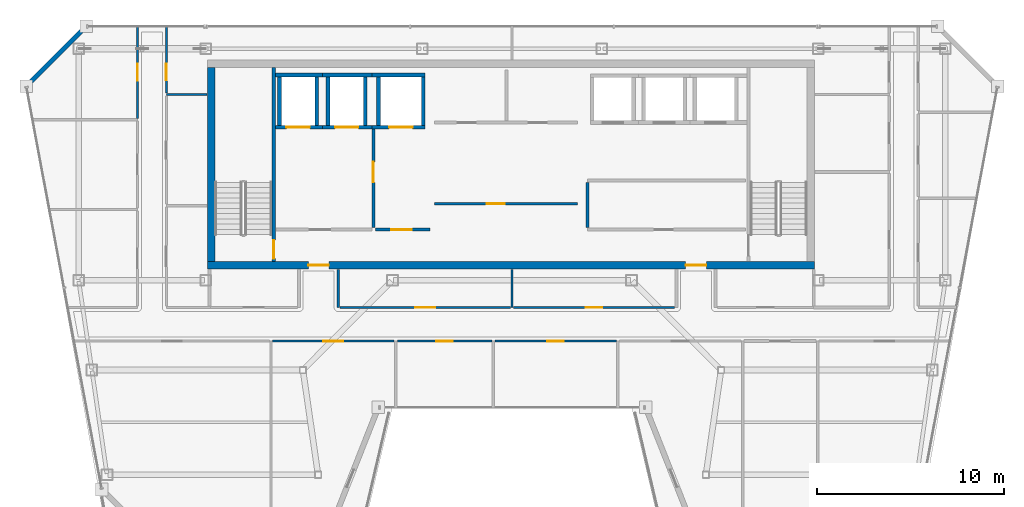
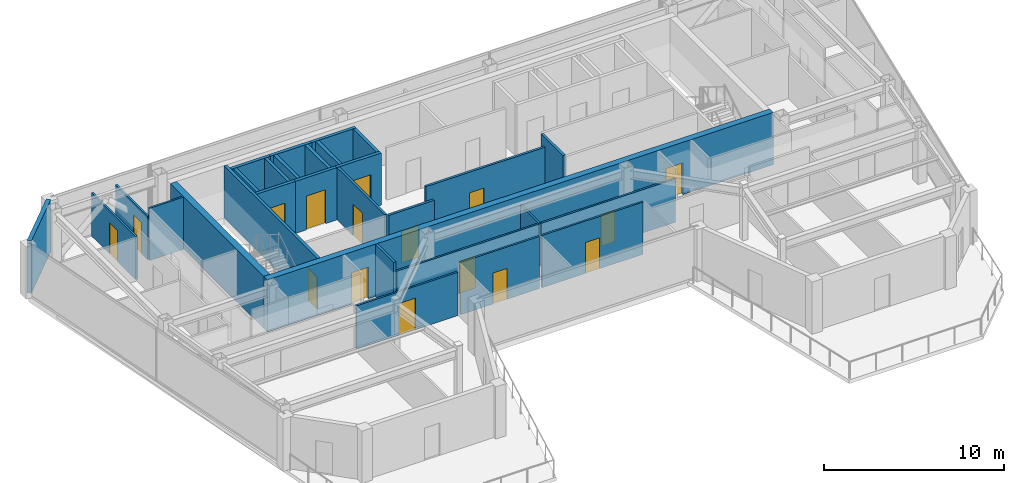
# One storey, part 19 of 25: 30 walls, 16 doors, 16 openings.
"""IFC4 building model written with IfcOpenShell, lengths in metres."""

from ifc_helpers import new_model, si_unit, direction, frame, frame_2d, origin, place, context, subcontext, project, spatial, rectangle, extrude, material, layer, layer_set, type_object, element, fill, save


model = new_model("IFC4")

# Units and contexts
model_context = context("Model", 3, precision=1e-05, world=origin(), true_north=direction((0.0, 1.0)))
body_context = subcontext(model_context, "Body", "Model", "MODEL_VIEW")
ifc_project = project(units=[si_unit("LENGTHUNIT", "METRE"), si_unit("AREAUNIT", "SQUARE_METRE"), si_unit("VOLUMEUNIT", "CUBIC_METRE"), si_unit("PLANEANGLEUNIT", "RADIAN"), si_unit("MASSUNIT", "GRAM", prefix="KILO")], contexts=[model_context])

# Site, building, storey
site_placement = place(None, origin())
site = spatial("IfcSite", under=ifc_project, at=site_placement, CompositionType="ELEMENT")
building_placement = place(site_placement, origin())
building = spatial("IfcBuilding", under=site, at=building_placement, Name="Saevonmaru Cultural Tower", CompositionType="ELEMENT")
storey_placement = place(building_placement, frame((0.0, 0.0, 276.199951171875)))
storey = spatial("IfcBuildingStorey", under=building, at=storey_placement, Name="L65", CompositionType="ELEMENT", Elevation=276.199951171875)

# Wall, openings, doors
ifc_material_1 = material(Name="Concrete C50/60", Category="concrete")
ifc_layer_1 = layer(ifc_material_1, 0.39990234375, Name="Concrete C50/60")
ifc_layer_set_1 = layer_set([ifc_layer_1], Name="Concrete C50/60")
wall_type_1 = type_object("IfcWallType", Name="WL-CORE-400", PredefinedType="SHEAR", material=ifc_layer_set_1)
wall_1_placement = place(storey_placement, frame((13.699951171875, 43.199951171875, 0.0), z_axis=(0.0, 0.0, 1.0), x_axis=(1.0, 0.0, 0.0)))
wall_1 = element("IfcWall", 1, at=wall_1_placement, inside=storey, type_object=wall_type_1, Name="L65 Tower RC core shear wall S", PredefinedType="SHEAR", context=body_context, shape_type="SweptSolid", body=[
    extrude(rectangle(XDim=32.5, YDim=0.39990234375, at=frame_2d((16.25, 0.0))), origin(), (0.0, 0.0, 1.0), 3.550048828125),
])
opening_1_placement = place(wall_1_placement, frame((5.39990234375, 0.0, 0.0)))
opening_1 = element("IfcOpeningElement", 2, at=opening_1_placement, cuts=wall_1, Name="Opening FD-2", PredefinedType="OPENING", context=body_context, shape_type="SweptSolid", body=[
    extrude(rectangle(XDim=1.10009765625, YDim=2.14990234375, at=frame_2d((0.550048828125, 1.074951171875))), frame((0.0, 0.2099609375, 0.0), z_axis=(0.0, -1.0, 0.0), x_axis=(1.0, 0.0, 0.0)), (0.0, 0.0, 1.0), 0.419921875),
])
opening_2_placement = place(wall_1_placement, frame((25.60009765625, 0.0, 0.0)))
opening_2 = element("IfcOpeningElement", 3, at=opening_2_placement, cuts=wall_1, Name="Opening FD-2", PredefinedType="OPENING", context=body_context, shape_type="SweptSolid", body=[
    extrude(rectangle(XDim=1.10009765625, YDim=2.14990234375, at=frame_2d((0.550048828125, 1.074951171875))), frame((0.0, 0.2099609375, 0.0), z_axis=(0.0, -1.0, 0.0), x_axis=(1.0, 0.0, 0.0)), (0.0, 0.0, 1.0), 0.419921875),
])
ifc_material_2 = material(Name="Satin Bronze Anodised Aluminium", Category="aluminium")
door_type_1 = type_object("IfcDoorType", Name="DR-FD60-1100", OperationType="SINGLE_SWING_LEFT", PredefinedType="DOOR", material=ifc_material_2)
door_1_placement = place(opening_1_placement, origin())
door_1 = element("IfcDoor", 4, at=door_1_placement, inside=storey, type_object=door_type_1, Name="L65 Core West Lobby Fire Door", OperationType="SINGLE_SWING_LEFT", OverallHeight=2.14990234375, OverallWidth=1.10009765625, PredefinedType="DOOR", context=body_context, shape_type="SweptSolid", body=[
    extrude(rectangle(XDim=1.10009765625, YDim=2.14990234375, at=frame_2d((0.550048828125, 1.074951171875))), frame((0.0, 0.02490234375, 0.0), z_axis=(0.0, -1.0, 0.0), x_axis=(1.0, 0.0, 0.0)), (0.0, 0.0, 1.0), 0.050048828125),
])
fill(opening_1, door_1)
door_2_placement = place(opening_2_placement, origin())
door_2 = element("IfcDoor", 5, at=door_2_placement, inside=storey, type_object=door_type_1, Name="L65 Core East Lobby Fire Door", OperationType="SINGLE_SWING_LEFT", OverallHeight=2.14990234375, OverallWidth=1.10009765625, PredefinedType="DOOR", context=body_context, shape_type="SweptSolid", body=[
    extrude(rectangle(XDim=1.10009765625, YDim=2.14990234375, at=frame_2d((0.550048828125, 1.074951171875))), frame((0.0, 0.02490234375, 0.0), z_axis=(0.0, -1.0, 0.0), x_axis=(1.0, 0.0, 0.0)), (0.0, 0.0, 1.0), 0.050048828125),
])
fill(opening_2, door_2)

# Wall
wall_2_placement = place(storey_placement, frame((13.89990234375, 43.39990234375, 0.0), z_axis=(0.0, 0.0, 1.0), x_axis=(0.0, 1.0, 0.0)))
element("IfcWall", 6, at=wall_2_placement, inside=storey, type_object=wall_type_1, Name="L65 Tower RC core shear wall W", PredefinedType="SHEAR", context=body_context, shape_type="SweptSolid", body=[
    extrude(rectangle(XDim=10.400146484375, YDim=0.39990234375, at=frame_2d((5.2001953125, 0.0))), origin(), (0.0, 0.0, 1.0), 3.550048828125),
])

# Wall, opening, door
ifc_material_3 = material(Name="Gypsum Fireboard Partition", Category="gypsum")
ifc_layer_2 = layer(ifc_material_3, 0.14990234375, Name="Gypsum Fireboard Partition")
ifc_layer_set_2 = layer_set([ifc_layer_2], Name="Gypsum Fireboard Partition")
wall_type_2 = type_object("IfcWallType", Name="WL-CORE-PART-150", PredefinedType="PARTITIONING", material=ifc_layer_set_2)
wall_3_placement = place(storey_placement, frame((22.580078125, 50.550048828125, 0.0), z_axis=(0.0, 0.0, 1.0), x_axis=(0.0, -1.0, 0.0)))
wall_3 = element("IfcWall", 7, at=wall_3_placement, inside=storey, type_object=wall_type_2, Name="L65 Firefighting Lift Lobby East Wall", PredefinedType="PARTITIONING", context=body_context, shape_type="SweptSolid", body=[
    extrude(rectangle(XDim=5.330078125, YDim=0.14990234375, at=frame_2d((2.6650390625, 0.0))), origin(), (0.0, 0.0, 1.0), 3.550048828125),
])
opening_3_placement = place(wall_3_placement, frame((1.800048828125, 0.0, 0.0)))
opening_3 = element("IfcOpeningElement", 8, at=opening_3_placement, cuts=wall_3, Name="Opening FD-2", PredefinedType="OPENING", context=body_context, shape_type="SweptSolid", body=[
    extrude(rectangle(XDim=1.10009765625, YDim=2.14990234375, at=frame_2d((0.550048828125, 1.074951171875))), frame((0.0, 0.0849609375, 0.0), z_axis=(0.0, -1.0, 0.0), x_axis=(1.0, 0.0, 0.0)), (0.0, 0.0, 1.0), 0.169921875),
])
door_3_placement = place(opening_3_placement, origin())
door_3 = element("IfcDoor", 9, at=door_3_placement, inside=storey, type_object=door_type_1, Name="L65 Firefighting Lift Lobby East Door", OperationType="SINGLE_SWING_LEFT", OverallHeight=2.14990234375, OverallWidth=1.10009765625, PredefinedType="DOOR", context=body_context, shape_type="SweptSolid", body=[
    extrude(rectangle(XDim=1.10009765625, YDim=2.14990234375, at=frame_2d((0.550048828125, 1.074951171875))), frame((0.0, 0.02490234375, 0.0), z_axis=(0.0, -1.0, 0.0), x_axis=(1.0, 0.0, 0.0)), (0.0, 0.0, 1.0), 0.050048828125),
])
fill(opening_3, door_3)

wall_4_placement = place(storey_placement, frame((22.679931640625, 45.1201171875, 0.0), z_axis=(0.0, 0.0, 1.0), x_axis=(1.0, 0.0, 0.0)))
wall_4 = element("IfcWall", 10, at=wall_4_placement, inside=storey, type_object=wall_type_2, Name="L65 Service Lift Vestibule Wall", PredefinedType="PARTITIONING", context=body_context, shape_type="SweptSolid", body=[
    extrude(rectangle(XDim=2.920166015625, YDim=0.14990234375, at=frame_2d((1.4599609375, 0.0))), origin(), (0.0, 0.0, 1.0), 3.550048828125),
])
opening_4_placement = place(wall_4_placement, frame((0.85009765625, 0.0, 0.0)))
opening_4 = element("IfcOpeningElement", 11, at=opening_4_placement, cuts=wall_4, Name="Opening FD-2", PredefinedType="OPENING", context=body_context, shape_type="SweptSolid", body=[
    extrude(rectangle(XDim=1.10009765625, YDim=2.14990234375, at=frame_2d((0.550048828125, 1.074951171875))), frame((0.0, 0.0849609375, 0.0), z_axis=(0.0, -1.0, 0.0), x_axis=(1.0, 0.0, 0.0)), (0.0, 0.0, 1.0), 0.169921875),
])
door_4_placement = place(opening_4_placement, origin())
door_4 = element("IfcDoor", 12, at=door_4_placement, inside=storey, type_object=door_type_1, Name="L65 Service Lift Vestibule Door", OperationType="SINGLE_SWING_LEFT", OverallHeight=2.14990234375, OverallWidth=1.10009765625, PredefinedType="DOOR", context=body_context, shape_type="SweptSolid", body=[
    extrude(rectangle(XDim=1.10009765625, YDim=2.14990234375, at=frame_2d((0.550048828125, 1.074951171875))), frame((0.0, 0.02490234375, 0.0), z_axis=(0.0, -1.0, 0.0), x_axis=(1.0, 0.0, 0.0)), (0.0, 0.0, 1.0), 0.050048828125),
])
fill(opening_4, door_4)

# Wall
wall_5_placement = place(storey_placement, frame((34.050048828125, 45.219970703125, 0.0), z_axis=(0.0, 0.0, 1.0), x_axis=(0.0, 1.0, 0.0)))
element("IfcWall", 13, at=wall_5_placement, inside=storey, type_object=wall_type_2, Name="L65 Core Service West Wall", PredefinedType="PARTITIONING", context=body_context, shape_type="SweptSolid", body=[
    extrude(rectangle(XDim=2.429931640625, YDim=0.14990234375, at=frame_2d((1.21484375, 0.0))), origin(), (0.0, 0.0, 1.0), 3.550048828125),
])

# Wall, opening, door
wall_6_placement = place(storey_placement, frame((25.85009765625, 46.5, 0.0), z_axis=(0.0, 0.0, 1.0), x_axis=(1.0, 0.0, 0.0)))
wall_6 = element("IfcWall", 14, at=wall_6_placement, inside=storey, type_object=wall_type_2, Name="L65 Reclaimed Mid-Shaft Wall", PredefinedType="PARTITIONING", context=body_context, shape_type="SweptSolid", body=[
    extrude(rectangle(XDim=7.64990234375, YDim=0.14990234375, at=frame_2d((3.824951171875, 0.0))), origin(), (0.0, 0.0, 1.0), 3.550048828125),
])
opening_5_placement = place(wall_6_placement, frame((2.800048828125, 0.0, 0.0)))
opening_5 = element("IfcOpeningElement", 15, at=opening_5_placement, cuts=wall_6, Name="Opening FD-4", PredefinedType="OPENING", context=body_context, shape_type="SweptSolid", body=[
    extrude(rectangle(XDim=0.949951171875, YDim=2.14990234375, at=frame_2d((0.47509765625, 1.074951171875))), frame((0.0, 0.0849609375, 0.0), z_axis=(0.0, -1.0, 0.0), x_axis=(1.0, 0.0, 0.0)), (0.0, 0.0, 1.0), 0.169921875),
])
door_type_2 = type_object("IfcDoorType", Name="DR-FD60-950", OperationType="SINGLE_SWING_LEFT", PredefinedType="DOOR", material=ifc_material_2)
door_5_placement = place(opening_5_placement, origin())
door_5 = element("IfcDoor", 16, at=door_5_placement, inside=storey, type_object=door_type_2, Name="L65 Reclaimed Manuscript Storage Door", OperationType="SINGLE_SWING_LEFT", OverallHeight=2.14990234375, OverallWidth=0.949951171875, PredefinedType="DOOR", context=body_context, shape_type="SweptSolid", body=[
    extrude(rectangle(XDim=0.949951171875, YDim=2.14990234375, at=frame_2d((0.47509765625, 1.074951171875))), frame((0.0, 0.02490234375, 0.0), z_axis=(0.0, -1.0, 0.0), x_axis=(1.0, 0.0, 0.0)), (0.0, 0.0, 1.0), 0.050048828125),
])
fill(opening_5, door_5)

# Walls
ifc_material_4 = material(Name="Granite-Clad Precast Concrete C40/50", Category="masonry")
ifc_layer_3 = layer(ifc_material_4, 0.260009765625, Name="Granite-Clad Precast Concrete C40/50")
ifc_layer_set_3 = layer_set([ifc_layer_3], Name="Granite-Clad Precast Concrete C40/50")
wall_type_3 = type_object("IfcWallType", Name="WL-EXT-SPANDREL-260", PredefinedType="STANDARD", material=ifc_layer_set_3)
wall_7_placement = place(storey_placement, frame((7.0869140625, 55.886962890625, 0.0), z_axis=(0.0, 0.0, 1.0), x_axis=(-0.707106781187, -0.707106781187, 0.0)))
element("IfcWall", 17, at=wall_7_placement, inside=storey, type_object=wall_type_3, Name="L65 Chamfer Corner Spandrel Wall E11", PredefinedType="STANDARD", context=body_context, shape_type="SweptSolid", body=[
    extrude(rectangle(XDim=4.205810546875, YDim=0.260009765625, at=frame_2d((2.10302734375, 0.0))), origin(), (0.0, 0.0, 1.0), 3.550048828125),
])
ifc_layer_4 = layer(ifc_material_3, 0.14990234375, Name="Gypsum Fireboard Partition")
ifc_layer_set_4 = layer_set([ifc_layer_4], Name="Gypsum Fireboard Partition")
wall_type_4 = type_object("IfcWallType", Name="WL-PART-FIRE-150", PredefinedType="PARTITIONING", material=ifc_layer_set_4)
wall_8_placement = place(storey_placement, frame((20.699951171875, 40.949951171875, 0.0), z_axis=(0.0, 0.0, 1.0), x_axis=(0.0, 1.0, 0.0)))
element("IfcWall", 18, at=wall_8_placement, inside=storey, type_object=wall_type_4, Name="L65 Core Portal Side Wall W2", PredefinedType="PARTITIONING", context=body_context, shape_type="SweptSolid", body=[
    extrude(rectangle(XDim=2.030029296875, YDim=0.14990234375, at=frame_2d((1.01513671875, 0.0))), origin(), (0.0, 0.0, 1.0), 3.550048828125),
])
ifc_layer_5 = layer(ifc_material_3, 0.1201171875, Name="Gypsum Fireboard Partition")
ifc_layer_set_5 = layer_set([ifc_layer_5], Name="Gypsum Fireboard Partition")
wall_type_5 = type_object("IfcWallType", Name="WL-PART-GYP-120", PredefinedType="PARTITIONING", material=ifc_layer_set_5)
wall_9_placement = place(storey_placement, frame((11.5, 52.35009765625, 0.0), z_axis=(0.0, 0.0, 1.0), x_axis=(1.0, 0.0, 0.0)))
element("IfcWall", 19, at=wall_9_placement, inside=storey, type_object=wall_type_5, Name="L65 North-West Panorama South Wall", PredefinedType="PARTITIONING", context=body_context, shape_type="SweptSolid", body=[
    extrude(rectangle(XDim=2.179931640625, YDim=0.1201171875, at=frame_2d((1.08984375, 0.0))), origin(), (0.0, 0.0, 1.0), 3.550048828125),
])

# Wall, opening, door
wall_10_placement = place(storey_placement, frame((11.5, 52.429931640625, 0.0), z_axis=(0.0, 0.0, 1.0), x_axis=(0.0, 1.0, 0.0)))
wall_10 = element("IfcWall", 20, at=wall_10_placement, inside=storey, type_object=wall_type_5, Name="L65 Typography Design Classroom Corridor Wall", PredefinedType="PARTITIONING", context=body_context, shape_type="SweptSolid", body=[
    extrude(rectangle(XDim=3.565185546875, YDim=0.1201171875, at=frame_2d((1.78271484375, 0.0))), origin(), (0.0, 0.0, 1.0), 2.93505859375),
])
opening_6_placement = place(wall_10_placement, frame((0.672119140625, 0.0, 0.0)))
opening_6 = element("IfcOpeningElement", 21, at=opening_6_placement, cuts=wall_10, Name="Opening ID-2", PredefinedType="OPENING", context=body_context, shape_type="SweptSolid", body=[
    extrude(rectangle(XDim=0.89990234375, YDim=2.10009765625, at=frame_2d((0.449951171875, 1.050048828125))), frame((0.0, 0.070068359375, 0.0), z_axis=(0.0, -1.0, 0.0), x_axis=(1.0, 0.0, 0.0)), (0.0, 0.0, 1.0), 0.14013671875),
])
ifc_material_5 = material(Name="Acoustic Stained Oak Timber", Category="wood")
door_type_3 = type_object("IfcDoorType", Name="DR-INT-900", OperationType="SINGLE_SWING_RIGHT", PredefinedType="DOOR", material=ifc_material_5)
door_6_placement = place(opening_6_placement, origin())
door_6 = element("IfcDoor", 22, at=door_6_placement, inside=storey, type_object=door_type_3, Name="L65 Typography Design Classroom Door", OperationType="SINGLE_SWING_LEFT", OverallHeight=2.10009765625, OverallWidth=0.89990234375, PredefinedType="DOOR", context=body_context, shape_type="SweptSolid", body=[
    extrude(rectangle(XDim=0.89990234375, YDim=2.10009765625, at=frame_2d((0.449951171875, 1.050048828125))), frame((0.0, 0.02490234375, 0.0), z_axis=(0.0, -1.0, 0.0), x_axis=(1.0, 0.0, 0.0)), (0.0, 0.0, 1.0), 0.050048828125),
])
fill(opening_6, door_6)

wall_11_placement = place(storey_placement, frame((9.949951171875, 51.080078125, 0.0), z_axis=(0.0, 0.0, 1.0), x_axis=(0.0, 1.0, 0.0)))
wall_11 = element("IfcWall", 23, at=wall_11_placement, inside=storey, type_object=wall_type_5, Name="L65 Typography Design Classroom Corridor Wall", PredefinedType="PARTITIONING", context=body_context, shape_type="SweptSolid", body=[
    extrude(rectangle(XDim=4.9150390625, YDim=0.1201171875, at=frame_2d((2.45751953125, 0.0))), origin(), (0.0, 0.0, 1.0), 2.93505859375),
])
opening_7_placement = place(wall_11_placement, frame((2.007080078125, 0.0, 0.0)))
opening_7 = element("IfcOpeningElement", 24, at=opening_7_placement, cuts=wall_11, Name="Opening ID-2", PredefinedType="OPENING", context=body_context, shape_type="SweptSolid", body=[
    extrude(rectangle(XDim=0.89990234375, YDim=2.10009765625, at=frame_2d((0.449951171875, 1.050048828125))), frame((0.0, 0.070068359375, 0.0), z_axis=(0.0, -1.0, 0.0), x_axis=(1.0, 0.0, 0.0)), (0.0, 0.0, 1.0), 0.14013671875),
])
door_7_placement = place(opening_7_placement, origin())
door_7 = element("IfcDoor", 25, at=door_7_placement, inside=storey, type_object=door_type_3, Name="L65 Typography Design Classroom Door", OperationType="SINGLE_SWING_RIGHT", OverallHeight=2.10009765625, OverallWidth=0.89990234375, PredefinedType="DOOR", context=body_context, shape_type="SweptSolid", body=[
    extrude(rectangle(XDim=0.89990234375, YDim=2.10009765625, at=frame_2d((0.449951171875, 1.050048828125))), frame((0.0, 0.02490234375, 0.0), z_axis=(0.0, -1.0, 0.0), x_axis=(1.0, 0.0, 0.0)), (0.0, 0.0, 1.0), 0.050048828125),
])
fill(opening_7, door_7)

# Wall
wall_12_placement = place(storey_placement, frame((30.0, 40.949951171875, 0.0), z_axis=(0.0, 0.0, 1.0), x_axis=(0.0, 1.0, 0.0)))
element("IfcWall", 26, at=wall_12_placement, inside=storey, type_object=wall_type_5, Name="L65 Spine Alcove Split", PredefinedType="PARTITIONING", context=body_context, shape_type="SweptSolid", body=[
    extrude(rectangle(XDim=2.030029296875, YDim=0.1201171875, at=frame_2d((1.01513671875, 0.0))), origin(), (0.0, 0.0, 1.0), 2.947021484375),
])

# Wall, opening, door
wall_13_placement = place(storey_placement, frame((20.794921875, 40.949951171875, 0.0), z_axis=(0.0, 0.0, 1.0), x_axis=(1.0, 0.0, 0.0)))
wall_13 = element("IfcWall", 27, at=wall_13_placement, inside=storey, type_object=wall_type_5, Name="L65 Rare Folio Reading Room Corridor Wall", PredefinedType="PARTITIONING", context=body_context, shape_type="SweptSolid", body=[
    extrude(rectangle(XDim=9.125, YDim=0.1201171875, at=frame_2d((4.5625, 0.0))), origin(), (0.0, 0.0, 1.0), 2.947021484375),
])
opening_8_placement = place(wall_13_placement, frame((4.037109375, 0.0, 0.0)))
opening_8 = element("IfcOpeningElement", 28, at=opening_8_placement, cuts=wall_13, Name="Opening ID-1", PredefinedType="OPENING", context=body_context, shape_type="SweptSolid", body=[
    extrude(rectangle(XDim=1.050048828125, YDim=2.14990234375, at=frame_2d((0.52490234375, 1.074951171875))), frame((0.0, 0.070068359375, 0.0), z_axis=(0.0, -1.0, 0.0), x_axis=(1.0, 0.0, 0.0)), (0.0, 0.0, 1.0), 0.14013671875),
])
door_type_4 = type_object("IfcDoorType", Name="DR-INT-1050", OperationType="SINGLE_SWING_LEFT", PredefinedType="DOOR", material=ifc_material_2)
door_8_placement = place(opening_8_placement, origin())
door_8 = element("IfcDoor", 29, at=door_8_placement, inside=storey, type_object=door_type_4, Name="L65 Rare Folio Reading Room Door", OperationType="SINGLE_SWING_LEFT", OverallHeight=2.14990234375, OverallWidth=1.050048828125, PredefinedType="DOOR", context=body_context, shape_type="SweptSolid", body=[
    extrude(rectangle(XDim=1.050048828125, YDim=2.14990234375, at=frame_2d((0.52490234375, 1.074951171875))), frame((0.0, 0.02490234375, 0.0), z_axis=(0.0, -1.0, 0.0), x_axis=(1.0, 0.0, 0.0)), (0.0, 0.0, 1.0), 0.050048828125),
])
fill(opening_8, door_8)

wall_14_placement = place(storey_placement, frame((30.080078125, 40.949951171875, 0.0), z_axis=(0.0, 0.0, 1.0), x_axis=(1.0, 0.0, 0.0)))
wall_14 = element("IfcWall", 30, at=wall_14_placement, inside=storey, type_object=wall_type_5, Name="L65 Curatorial Board Meeting Room Corridor Wall", PredefinedType="PARTITIONING", context=body_context, shape_type="SweptSolid", body=[
    extrude(rectangle(XDim=8.625, YDim=0.1201171875, at=frame_2d((4.3125, 0.0))), origin(), (0.0, 0.0, 1.0), 2.947021484375),
])
opening_9_placement = place(wall_14_placement, frame((3.862060546875, 0.0, 0.0)))
opening_9 = element("IfcOpeningElement", 31, at=opening_9_placement, cuts=wall_14, Name="Opening ID-2", PredefinedType="OPENING", context=body_context, shape_type="SweptSolid", body=[
    extrude(rectangle(XDim=0.89990234375, YDim=2.10009765625, at=frame_2d((0.449951171875, 1.050048828125))), frame((0.0, 0.070068359375, 0.0), z_axis=(0.0, -1.0, 0.0), x_axis=(1.0, 0.0, 0.0)), (0.0, 0.0, 1.0), 0.14013671875),
])
door_9_placement = place(opening_9_placement, origin())
door_9 = element("IfcDoor", 32, at=door_9_placement, inside=storey, type_object=door_type_3, Name="L65 Curatorial Board Meeting Room Door", OperationType="SINGLE_SWING_RIGHT", OverallHeight=2.10009765625, OverallWidth=0.89990234375, PredefinedType="DOOR", context=body_context, shape_type="SweptSolid", body=[
    extrude(rectangle(XDim=0.89990234375, YDim=2.10009765625, at=frame_2d((0.449951171875, 1.050048828125))), frame((0.0, 0.02490234375, 0.0), z_axis=(0.0, -1.0, 0.0), x_axis=(1.0, 0.0, 0.0)), (0.0, 0.0, 1.0), 0.050048828125),
])
fill(opening_9, door_9)

wall_15_placement = place(storey_placement, frame((17.179931640625, 39.14990234375, 0.0), z_axis=(0.0, 0.0, 1.0), x_axis=(1.0, 0.0, 0.0)))
wall_15 = element("IfcWall", 33, at=wall_15_placement, inside=storey, type_object=wall_type_5, Name="L65 Art History Reading Room Corridor Wall", PredefinedType="PARTITIONING", context=body_context, shape_type="SweptSolid", body=[
    extrude(rectangle(XDim=6.502685546875, YDim=0.1201171875, at=frame_2d((3.25146484375, 0.0))), origin(), (0.0, 0.0, 1.0), 2.947021484375),
])
opening_10_placement = place(wall_15_placement, frame((2.72607421875, 0.0, 0.0)))
opening_10 = element("IfcOpeningElement", 34, at=opening_10_placement, cuts=wall_15, Name="Opening ID-1", PredefinedType="OPENING", context=body_context, shape_type="SweptSolid", body=[
    extrude(rectangle(XDim=1.050048828125, YDim=2.14990234375, at=frame_2d((0.52490234375, 1.074951171875))), frame((0.0, 0.070068359375, 0.0), z_axis=(0.0, -1.0, 0.0), x_axis=(1.0, 0.0, 0.0)), (0.0, 0.0, 1.0), 0.14013671875),
])
door_10_placement = place(opening_10_placement, origin())
door_10 = element("IfcDoor", 35, at=door_10_placement, inside=storey, type_object=door_type_4, Name="L65 Art History Reading Room Door", OperationType="SINGLE_SWING_LEFT", OverallHeight=2.14990234375, OverallWidth=1.050048828125, PredefinedType="DOOR", context=body_context, shape_type="SweptSolid", body=[
    extrude(rectangle(XDim=1.050048828125, YDim=2.14990234375, at=frame_2d((0.52490234375, 1.074951171875))), frame((0.0, 0.02490234375, 0.0), z_axis=(0.0, -1.0, 0.0), x_axis=(1.0, 0.0, 0.0)), (0.0, 0.0, 1.0), 0.050048828125),
])
fill(opening_10, door_10)

wall_16_placement = place(storey_placement, frame((23.857421875, 39.14990234375, 0.0), z_axis=(0.0, 0.0, 1.0), x_axis=(1.0, 0.0, 0.0)))
wall_16 = element("IfcWall", 36, at=wall_16_placement, inside=storey, type_object=wall_type_5, Name="L65 Typography Design Classroom Corridor Wall", PredefinedType="PARTITIONING", context=body_context, shape_type="SweptSolid", body=[
    extrude(rectangle(XDim=5.0625, YDim=0.1201171875, at=frame_2d((2.53125, 0.0))), origin(), (0.0, 0.0, 1.0), 3.550048828125),
])
opening_11_placement = place(wall_16_placement, frame((2.0810546875, 0.0, 0.0)))
opening_11 = element("IfcOpeningElement", 37, at=opening_11_placement, cuts=wall_16, Name="Opening ID-2", PredefinedType="OPENING", context=body_context, shape_type="SweptSolid", body=[
    extrude(rectangle(XDim=0.89990234375, YDim=2.10009765625, at=frame_2d((0.449951171875, 1.050048828125))), frame((0.0, 0.070068359375, 0.0), z_axis=(0.0, -1.0, 0.0), x_axis=(1.0, 0.0, 0.0)), (0.0, 0.0, 1.0), 0.14013671875),
])
door_11_placement = place(opening_11_placement, origin())
door_11 = element("IfcDoor", 38, at=door_11_placement, inside=storey, type_object=door_type_3, Name="L65 Typography Design Classroom Door", OperationType="SINGLE_SWING_RIGHT", OverallHeight=2.10009765625, OverallWidth=0.89990234375, PredefinedType="DOOR", context=body_context, shape_type="SweptSolid", body=[
    extrude(rectangle(XDim=0.89990234375, YDim=2.10009765625, at=frame_2d((0.449951171875, 1.050048828125))), frame((0.0, 0.02490234375, 0.0), z_axis=(0.0, -1.0, 0.0), x_axis=(1.0, 0.0, 0.0)), (0.0, 0.0, 1.0), 0.050048828125),
])
fill(opening_11, door_11)

wall_17_placement = place(storey_placement, frame((29.080078125, 39.14990234375, 0.0), z_axis=(0.0, 0.0, 1.0), x_axis=(1.0, 0.0, 0.0)))
wall_17 = element("IfcWall", 39, at=wall_17_placement, inside=storey, type_object=wall_type_5, Name="L65 Calligraphy Teaching Studio Corridor Wall", PredefinedType="PARTITIONING", context=body_context, shape_type="SweptSolid", body=[
    extrude(rectangle(XDim=6.50244140625, YDim=0.1201171875, at=frame_2d((3.251220703125, 0.0))), origin(), (0.0, 0.0, 1.0), 3.550048828125),
])
opening_12_placement = place(wall_17_placement, frame((2.801025390625, 0.0, 0.0)))
opening_12 = element("IfcOpeningElement", 40, at=opening_12_placement, cuts=wall_17, Name="Opening ID-2", PredefinedType="OPENING", context=body_context, shape_type="SweptSolid", body=[
    extrude(rectangle(XDim=0.89990234375, YDim=2.10009765625, at=frame_2d((0.449951171875, 1.050048828125))), frame((0.0, 0.070068359375, 0.0), z_axis=(0.0, -1.0, 0.0), x_axis=(1.0, 0.0, 0.0)), (0.0, 0.0, 1.0), 0.14013671875),
])
door_12_placement = place(opening_12_placement, origin())
door_12 = element("IfcDoor", 41, at=door_12_placement, inside=storey, type_object=door_type_3, Name="L65 Calligraphy Teaching Studio Door", OperationType="SINGLE_SWING_LEFT", OverallHeight=2.10009765625, OverallWidth=0.89990234375, PredefinedType="DOOR", context=body_context, shape_type="SweptSolid", body=[
    extrude(rectangle(XDim=0.89990234375, YDim=2.10009765625, at=frame_2d((0.449951171875, 1.050048828125))), frame((0.0, 0.02490234375, 0.0), z_axis=(0.0, -1.0, 0.0), x_axis=(1.0, 0.0, 0.0)), (0.0, 0.0, 1.0), 0.050048828125),
])
fill(opening_12, door_12)

ifc_material_6 = material(Name="Concrete C40/50", Category="concrete")
ifc_layer_6 = layer(ifc_material_6, 0.199951171875, Name="Concrete C40/50")
ifc_layer_set_6 = layer_set([ifc_layer_6], Name="Concrete C40/50")
wall_type_6 = type_object("IfcWallType", Name="WL-SHAFT-200", PredefinedType="SHEAR", material=ifc_layer_set_6)
wall_18_placement = place(storey_placement, frame((17.330078125, 50.60009765625, 0.0), z_axis=(0.0, 0.0, 1.0), x_axis=(1.0, 0.0, 0.0)))
wall_18 = element("IfcWall", 42, at=wall_18_placement, inside=storey, type_object=wall_type_6, Name="L65 Lift FFL-1 Hoistway Wall S", PredefinedType="SHEAR", context=body_context, shape_type="SweptSolid", body=[
    extrude(rectangle(XDim=2.52001953125, YDim=0.199951171875, at=frame_2d((1.260009765625, 0.0))), origin(), (0.0, 0.0, 1.0), 3.550048828125),
])
opening_13_placement = place(wall_18_placement, frame((0.594970703125, 0.0, 0.0)))
opening_13 = element("IfcOpeningElement", 43, at=opening_13_placement, cuts=wall_18, Name="Opening LD-2", PredefinedType="OPENING", context=body_context, shape_type="SweptSolid", body=[
    extrude(rectangle(XDim=1.25, YDim=2.300048828125, at=frame_2d((0.625, 1.14990234375))), frame((0.0, 0.10986328125, 0.0), z_axis=(0.0, -1.0, 0.0), x_axis=(1.0, 0.0, 0.0)), (0.0, 0.0, 1.0), 0.219970703125),
])
ifc_material_7 = material(Name="Stainless Steel 316", Category="steel")
door_type_5 = type_object("IfcDoorType", Name="DR-LIFT-1250", OperationType="SLIDING_TO_LEFT", PredefinedType="DOOR", material=ifc_material_7)
door_13_placement = place(opening_13_placement, origin())
door_13 = element("IfcDoor", 44, at=door_13_placement, inside=storey, type_object=door_type_5, Name="L65 Lift FFL-1 Sliding Landing Door", OperationType="SLIDING_TO_LEFT", OverallHeight=2.300048828125, OverallWidth=1.25, PredefinedType="DOOR", context=body_context, shape_type="SweptSolid", body=[
    extrude(rectangle(XDim=1.25, YDim=2.300048828125, at=frame_2d((0.625, 1.14990234375))), frame((0.0, 0.02490234375, 0.0), z_axis=(0.0, -1.0, 0.0), x_axis=(1.0, 0.0, 0.0)), (0.0, 0.0, 1.0), 0.050048828125),
])
fill(opening_13, door_13)

# Walls
wall_19_placement = place(storey_placement, frame((17.330078125, 53.39990234375, 0.0), z_axis=(0.0, 0.0, 1.0), x_axis=(1.0, 0.0, 0.0)))
element("IfcWall", 45, at=wall_19_placement, inside=storey, type_object=wall_type_6, Name="L65 Lift FFL-1 Hoistway Wall N", PredefinedType="SHEAR", context=body_context, shape_type="SweptSolid", body=[
    extrude(rectangle(XDim=2.52001953125, YDim=0.199951171875, at=frame_2d((1.260009765625, 0.0))), origin(), (0.0, 0.0, 1.0), 3.550048828125),
])
for number, where, z_axis, x_axis, name in (
    (46, (17.550048828125, 50.699951171875, 0.0), (0.0, 0.0, 1.0), (0.0, 1.0, 0.0), "L65 Lift FFL-1 Hoistway Wall W"),
    (47, (19.550048828125, 50.699951171875, 0.0), (0.0, 0.0, 1.0), (0.0, 1.0, 0.0), "L65 Lift FFL-1 Hoistway Wall E"),
):
    element("IfcWall", number, at=place(storey_placement, frame(where, z_axis=z_axis, x_axis=x_axis)), inside=storey, type_object=wall_type_6, Name=name, PredefinedType="SHEAR", context=body_context, shape_type="SweptSolid", body=[
        extrude(rectangle(XDim=2.60009765625, YDim=0.199951171875, at=frame_2d((1.300048828125, 0.0))), origin(), (0.0, 0.0, 1.0), 3.550048828125),
    ])

# Wall, opening, door
wall_20_placement = place(storey_placement, frame((19.85009765625, 50.60009765625, 0.0), z_axis=(0.0, 0.0, 1.0), x_axis=(1.0, 0.0, 0.0)))
wall_20 = element("IfcWall", 48, at=wall_20_placement, inside=storey, type_object=wall_type_6, Name="L65 Lift FFL-2 Hoistway Wall S", PredefinedType="SHEAR", context=body_context, shape_type="SweptSolid", body=[
    extrude(rectangle(XDim=2.64990234375, YDim=0.199951171875, at=frame_2d((1.324951171875, 0.0))), origin(), (0.0, 0.0, 1.0), 3.550048828125),
])
opening_14_placement = place(wall_20_placement, frame((0.675048828125, 0.0, 0.0)))
opening_14 = element("IfcOpeningElement", 49, at=opening_14_placement, cuts=wall_20, Name="Opening LD-2", PredefinedType="OPENING", context=body_context, shape_type="SweptSolid", body=[
    extrude(rectangle(XDim=1.25, YDim=2.300048828125, at=frame_2d((0.625, 1.14990234375))), frame((0.0, 0.10986328125, 0.0), z_axis=(0.0, -1.0, 0.0), x_axis=(1.0, 0.0, 0.0)), (0.0, 0.0, 1.0), 0.219970703125),
])
door_14_placement = place(opening_14_placement, origin())
door_14 = element("IfcDoor", 50, at=door_14_placement, inside=storey, type_object=door_type_5, Name="L65 Lift FFL-2 Sliding Landing Door", OperationType="SLIDING_TO_LEFT", OverallHeight=2.300048828125, OverallWidth=1.25, PredefinedType="DOOR", context=body_context, shape_type="SweptSolid", body=[
    extrude(rectangle(XDim=1.25, YDim=2.300048828125, at=frame_2d((0.625, 1.14990234375))), frame((0.0, 0.02490234375, 0.0), z_axis=(0.0, -1.0, 0.0), x_axis=(1.0, 0.0, 0.0)), (0.0, 0.0, 1.0), 0.050048828125),
])
fill(opening_14, door_14)

# Walls
wall_21_placement = place(storey_placement, frame((19.85009765625, 53.39990234375, 0.0), z_axis=(0.0, 0.0, 1.0), x_axis=(1.0, 0.0, 0.0)))
element("IfcWall", 51, at=wall_21_placement, inside=storey, type_object=wall_type_6, Name="L65 Lift FFL-2 Hoistway Wall N", PredefinedType="SHEAR", context=body_context, shape_type="SweptSolid", body=[
    extrude(rectangle(XDim=2.64990234375, YDim=0.199951171875, at=frame_2d((1.324951171875, 0.0))), origin(), (0.0, 0.0, 1.0), 3.550048828125),
])
for number, where, z_axis, x_axis, name in (
    (52, (20.14990234375, 50.699951171875, 0.0), (0.0, 0.0, 1.0), (0.0, 1.0, 0.0), "L65 Lift FFL-2 Hoistway Wall W"),
    (53, (22.14990234375, 50.699951171875, 0.0), (0.0, 0.0, 1.0), (0.0, 1.0, 0.0), "L65 Lift FFL-2 Hoistway Wall E"),
):
    element("IfcWall", number, at=place(storey_placement, frame(where, z_axis=z_axis, x_axis=x_axis)), inside=storey, type_object=wall_type_6, Name=name, PredefinedType="SHEAR", context=body_context, shape_type="SweptSolid", body=[
        extrude(rectangle(XDim=2.60009765625, YDim=0.199951171875, at=frame_2d((1.300048828125, 0.0))), origin(), (0.0, 0.0, 1.0), 3.550048828125),
    ])

# Wall, opening, door
wall_22_placement = place(storey_placement, frame((22.5, 50.60009765625, 0.0), z_axis=(0.0, 0.0, 1.0), x_axis=(1.0, 0.0, 0.0)))
wall_22 = element("IfcWall", 54, at=wall_22_placement, inside=storey, type_object=wall_type_6, Name="L65 Lift GL-1 Hoistway Wall S", PredefinedType="SHEAR", context=body_context, shape_type="SweptSolid", body=[
    extrude(rectangle(XDim=2.85009765625, YDim=0.199951171875, at=frame_2d((1.425048828125, 0.0))), origin(), (0.0, 0.0, 1.0), 3.550048828125),
])
opening_15_placement = place(wall_22_placement, frame((0.925048828125, 0.0, 0.0)))
opening_15 = element("IfcOpeningElement", 55, at=opening_15_placement, cuts=wall_22, Name="Opening LD-2", PredefinedType="OPENING", context=body_context, shape_type="SweptSolid", body=[
    extrude(rectangle(XDim=1.25, YDim=2.300048828125, at=frame_2d((0.625, 1.14990234375))), frame((0.0, 0.10986328125, 0.0), z_axis=(0.0, -1.0, 0.0), x_axis=(1.0, 0.0, 0.0)), (0.0, 0.0, 1.0), 0.219970703125),
])
door_15_placement = place(opening_15_placement, origin())
door_15 = element("IfcDoor", 56, at=door_15_placement, inside=storey, type_object=door_type_5, Name="L65 Lift GL-1 Sliding Landing Door", OperationType="SLIDING_TO_LEFT", OverallHeight=2.300048828125, OverallWidth=1.25, PredefinedType="DOOR", context=body_context, shape_type="SweptSolid", body=[
    extrude(rectangle(XDim=1.25, YDim=2.300048828125, at=frame_2d((0.625, 1.14990234375))), frame((0.0, 0.02490234375, 0.0), z_axis=(0.0, -1.0, 0.0), x_axis=(1.0, 0.0, 0.0)), (0.0, 0.0, 1.0), 0.050048828125),
])
fill(opening_15, door_15)

# Walls
wall_23_placement = place(storey_placement, frame((22.5, 53.39990234375, 0.0), z_axis=(0.0, 0.0, 1.0), x_axis=(1.0, 0.0, 0.0)))
element("IfcWall", 57, at=wall_23_placement, inside=storey, type_object=wall_type_6, Name="L65 Lift GL-1 Hoistway Wall N", PredefinedType="SHEAR", context=body_context, shape_type="SweptSolid", body=[
    extrude(rectangle(XDim=2.85009765625, YDim=0.199951171875, at=frame_2d((1.425048828125, 0.0))), origin(), (0.0, 0.0, 1.0), 3.550048828125),
])
for number, where, z_axis, x_axis, name in (
    (58, (22.85009765625, 50.699951171875, 0.0), (0.0, 0.0, 1.0), (0.0, 1.0, 0.0), "L65 Lift GL-1 Hoistway Wall W"),
    (59, (25.25, 50.699951171875, 0.0), (0.0, 0.0, 1.0), (0.0, 1.0, 0.0), "L65 Lift GL-1 Hoistway Wall E"),
):
    element("IfcWall", number, at=place(storey_placement, frame(where, z_axis=z_axis, x_axis=x_axis)), inside=storey, type_object=wall_type_6, Name=name, PredefinedType="SHEAR", context=body_context, shape_type="SweptSolid", body=[
        extrude(rectangle(XDim=2.60009765625, YDim=0.199951171875, at=frame_2d((1.300048828125, 0.0))), origin(), (0.0, 0.0, 1.0), 3.550048828125),
    ])

# Wall, opening, door
ifc_layer_7 = layer(ifc_material_6, 0.179931640625, Name="Concrete C40/50")
ifc_layer_set_7 = layer_set([ifc_layer_7], Name="Concrete C40/50")
wall_type_7 = type_object("IfcWallType", Name="WL-STSHAFT-180", PredefinedType="SHEAR", material=ifc_layer_set_7)
wall_24_placement = place(storey_placement, frame((17.239990234375, 43.39990234375, 0.0), z_axis=(0.0, 0.0, 1.0), x_axis=(0.0, 1.0, 0.0)))
wall_24 = element("IfcWall", 60, at=wall_24_placement, inside=storey, type_object=wall_type_7, Name="L65 Stair ST-1 Structural Shaft Wall 1", PredefinedType="SHEAR", context=body_context, shape_type="SweptSolid", body=[
    extrude(rectangle(XDim=10.400146484375, YDim=0.179931640625, at=frame_2d((5.2001953125, 0.0))), origin(), (0.0, 0.0, 1.0), 3.550048828125),
])
opening_16_placement = place(wall_24_placement, frame((0.159912109375, 0.0, 0.0)))
opening_16 = element("IfcOpeningElement", 61, at=opening_16_placement, cuts=wall_24, Name="Opening FD-3", PredefinedType="OPENING", context=body_context, shape_type="SweptSolid", body=[
    extrude(rectangle(XDim=1.0, YDim=2.14990234375, at=frame_2d((0.5, 1.074951171875))), frame((0.0, 0.10009765625, 0.0), z_axis=(0.0, -1.0, 0.0), x_axis=(1.0, 0.0, 0.0)), (0.0, 0.0, 1.0), 0.199951171875),
])
door_type_6 = type_object("IfcDoorType", Name="DR-FD60-1000", OperationType="SINGLE_SWING_RIGHT", PredefinedType="DOOR", material=ifc_material_2)
door_16_placement = place(opening_16_placement, origin())
door_16 = element("IfcDoor", 62, at=door_16_placement, inside=storey, type_object=door_type_6, Name="L65 Protected Stair ST-1 Fire Door", OperationType="SINGLE_SWING_RIGHT", OverallHeight=2.14990234375, OverallWidth=1.0, PredefinedType="DOOR", context=body_context, shape_type="SweptSolid", body=[
    extrude(rectangle(XDim=1.0, YDim=2.14990234375, at=frame_2d((0.5, 1.074951171875))), frame((0.0, 0.02490234375, 0.0), z_axis=(0.0, -1.0, 0.0), x_axis=(1.0, 0.0, 0.0)), (0.0, 0.0, 1.0), 0.050048828125),
])
fill(opening_16, door_16)

save(model, "model.ifc")
